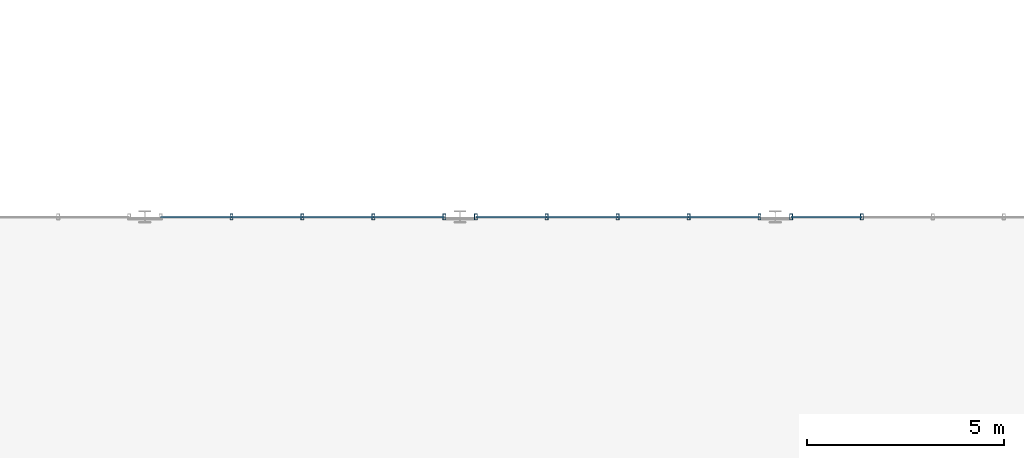
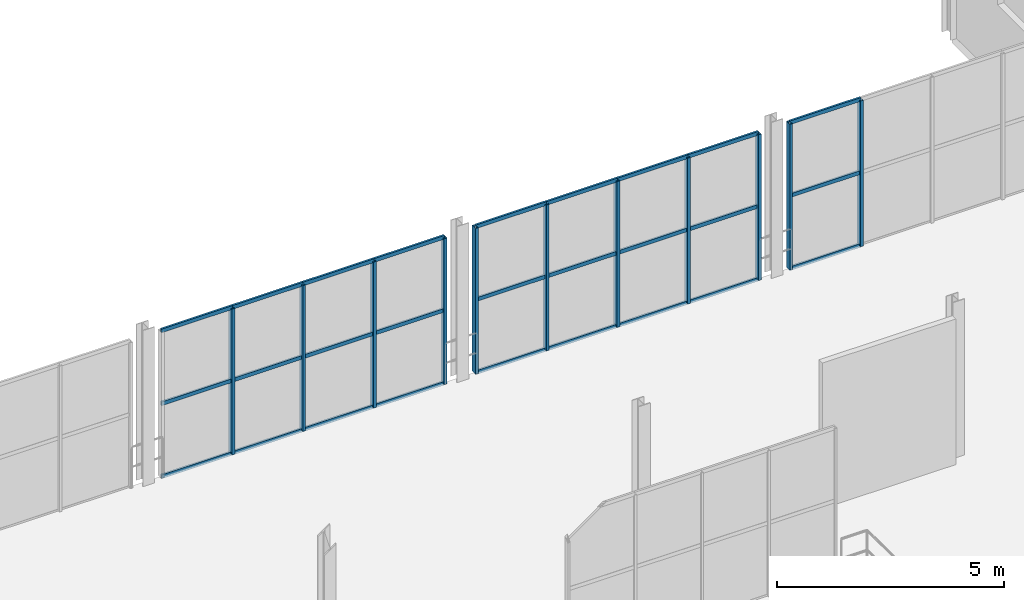
# One storey, part 21 of 67: 38 members, 3 elements without a shape of their own.
"""IFC4 building model written with IfcOpenShell, lengths in metres."""

from ifc_helpers import new_model, si_unit, direction, frame, origin, origin_2d, place, context, subcontext, project, spatial, hollow_rectangle, extrude, material, material_profile, profile_set, type_object, element, aggregate, save


model = new_model("IFC4")

# Units and contexts
model_context = context("Model", 3, precision=1e-05, world=origin(), true_north=direction((0.0, 1.0)))
body_context = subcontext(model_context, "Body", "Model", "MODEL_VIEW")
ifc_project = project(units=[si_unit("LENGTHUNIT", "METRE"), si_unit("AREAUNIT", "SQUARE_METRE"), si_unit("VOLUMEUNIT", "CUBIC_METRE"), si_unit("PLANEANGLEUNIT", "RADIAN"), si_unit("MASSUNIT", "GRAM", prefix="KILO")], contexts=[model_context])

# Site, building, storey
site_placement = place(None, origin())
site = spatial("IfcSite", under=ifc_project, at=site_placement, CompositionType="ELEMENT")
building_placement = place(site_placement, origin())
building = spatial("IfcBuilding", under=site, at=building_placement, Name="Sundkrona Museum", CompositionType="ELEMENT")
storey_placement = place(building_placement, frame((0.0, 0.0, 21.800048828125)))
storey = spatial("IfcBuildingStorey", under=building, at=storey_placement, Name="L04", CompositionType="ELEMENT", Elevation=21.800048828125)

# Curtain wall, members
ifc_material_1 = material(Name="Unitised Aluminium-Steel and Ceramic-Clad Curtain Walling", Category="steel")
curtain_wall_type = type_object("IfcCurtainWallType", Name="CW-AT-72x38", PredefinedType="NOTDEFINED", material=ifc_material_1)
curtain_wall_1_placement = place(storey_placement, origin())
curtain_wall_1 = element("IfcCurtainWall", 1, at=curtain_wall_1_placement, inside=storey, type_object=curtain_wall_type, Name="L04 Curtain Wall CW-L04-089", PredefinedType="NOTDEFINED")
ifc_material_2 = material(Name="Aluminium EN AW-6060 T66", Category="aluminium")
ifc_material_profile_1 = material_profile(ifc_material_2, hollow_rectangle(XDim=0.074951171875, YDim=0.14990234375, WallThickness=0.00634765625, at=origin_2d()), Name="RHS 150x75x6.3")
ifc_profile_set_1 = profile_set([ifc_material_profile_1], Name="Aluminium EN AW-6060 T66")
member_type_1 = type_object("IfcMemberType", Name="ML-150", PredefinedType="MULLION", material=ifc_profile_set_1)
member_1_placement = place(storey_placement, frame((98.199951171875, 40.0, -0.004150390625), z_axis=(0.0, 0.0, 1.0), x_axis=(1.0, 0.0, 0.0)))
member_1 = element("IfcMember", 2, at=member_1_placement, type_object=member_type_1, Name="CW-L04-089 Mullion 02", PredefinedType="MULLION", context=body_context, shape_type="SweptSolid", body=[
    extrude(hollow_rectangle(XDim=0.074951171875, YDim=0.14990234375, WallThickness=0.00634765625, at=origin_2d()), origin(), (0.0, 0.0, 1.0), 3.92822265625),
])
member_2_placement = place(storey_placement, frame((100.0, 40.0, -0.004150390625), z_axis=(0.0, 0.0, 1.0), x_axis=(1.0, 0.0, 0.0)))
member_2 = element("IfcMember", 3, at=member_2_placement, type_object=member_type_1, Name="CW-L04-089 Mullion 03", PredefinedType="MULLION", context=body_context, shape_type="SweptSolid", body=[
    extrude(hollow_rectangle(XDim=0.074951171875, YDim=0.14990234375, WallThickness=0.00634765625, at=origin_2d()), origin(), (0.0, 0.0, 1.0), 3.92822265625),
])
member_3_placement = place(storey_placement, frame((101.800048828125, 40.0, -0.004150390625), z_axis=(0.0, 0.0, 1.0), x_axis=(1.0, 0.0, 0.0)))
member_3 = element("IfcMember", 4, at=member_3_placement, type_object=member_type_1, Name="CW-L04-089 Mullion 04", PredefinedType="MULLION", context=body_context, shape_type="SweptSolid", body=[
    extrude(hollow_rectangle(XDim=0.074951171875, YDim=0.14990234375, WallThickness=0.00634765625, at=origin_2d()), origin(), (0.0, 0.0, 1.0), 3.92822265625),
])
member_4_placement = place(storey_placement, frame((103.60009765625, 40.0, -0.004150390625), z_axis=(0.0, 0.0, 1.0), x_axis=(1.0, 0.0, 0.0)))
member_4 = element("IfcMember", 5, at=member_4_placement, type_object=member_type_1, Name="CW-L04-089 Mullion 05", PredefinedType="MULLION", context=body_context, shape_type="SweptSolid", body=[
    extrude(hollow_rectangle(XDim=0.074951171875, YDim=0.14990234375, WallThickness=0.00634765625, at=origin_2d()), origin(), (0.0, 0.0, 1.0), 3.92822265625),
])

curtain_wall_2_placement = place(storey_placement, origin())
curtain_wall_2 = element("IfcCurtainWall", 6, at=curtain_wall_2_placement, inside=storey, type_object=curtain_wall_type, Name="L04 Curtain Wall CW-L04-090", PredefinedType="NOTDEFINED")
member_5_placement = place(storey_placement, frame((104.39990234375, 40.0, -0.004150390625), z_axis=(0.0, 0.0, 1.0), x_axis=(1.0, 0.0, 0.0)))
member_5 = element("IfcMember", 7, at=member_5_placement, type_object=member_type_1, Name="CW-L04-090 Mullion 01", PredefinedType="MULLION", context=body_context, shape_type="SweptSolid", body=[
    extrude(hollow_rectangle(XDim=0.074951171875, YDim=0.14990234375, WallThickness=0.00634765625, at=origin_2d()), origin(), (0.0, 0.0, 1.0), 3.92822265625),
])
member_6_placement = place(storey_placement, frame((106.199951171875, 40.0, -0.004150390625), z_axis=(0.0, 0.0, 1.0), x_axis=(1.0, 0.0, 0.0)))
member_6 = element("IfcMember", 8, at=member_6_placement, type_object=member_type_1, Name="CW-L04-090 Mullion 02", PredefinedType="MULLION", context=body_context, shape_type="SweptSolid", body=[
    extrude(hollow_rectangle(XDim=0.074951171875, YDim=0.14990234375, WallThickness=0.00634765625, at=origin_2d()), origin(), (0.0, 0.0, 1.0), 3.92822265625),
])
member_7_placement = place(storey_placement, frame((108.0, 40.0, -0.004150390625), z_axis=(0.0, 0.0, 1.0), x_axis=(1.0, 0.0, 0.0)))
member_7 = element("IfcMember", 9, at=member_7_placement, type_object=member_type_1, Name="CW-L04-090 Mullion 03", PredefinedType="MULLION", context=body_context, shape_type="SweptSolid", body=[
    extrude(hollow_rectangle(XDim=0.074951171875, YDim=0.14990234375, WallThickness=0.00634765625, at=origin_2d()), origin(), (0.0, 0.0, 1.0), 3.92822265625),
])
member_8_placement = place(storey_placement, frame((109.800048828125, 40.0, -0.004150390625), z_axis=(0.0, 0.0, 1.0), x_axis=(1.0, 0.0, 0.0)))
member_8 = element("IfcMember", 10, at=member_8_placement, type_object=member_type_1, Name="CW-L04-090 Mullion 04", PredefinedType="MULLION", context=body_context, shape_type="SweptSolid", body=[
    extrude(hollow_rectangle(XDim=0.074951171875, YDim=0.14990234375, WallThickness=0.00634765625, at=origin_2d()), origin(), (0.0, 0.0, 1.0), 3.92822265625),
])
member_9_placement = place(storey_placement, frame((111.60009765625, 40.0, -0.004150390625), z_axis=(0.0, 0.0, 1.0), x_axis=(1.0, 0.0, 0.0)))
member_9 = element("IfcMember", 11, at=member_9_placement, type_object=member_type_1, Name="CW-L04-090 Mullion 05", PredefinedType="MULLION", context=body_context, shape_type="SweptSolid", body=[
    extrude(hollow_rectangle(XDim=0.074951171875, YDim=0.14990234375, WallThickness=0.00634765625, at=origin_2d()), origin(), (0.0, 0.0, 1.0), 3.92822265625),
])

curtain_wall_3_placement = place(storey_placement, origin())
curtain_wall_3 = element("IfcCurtainWall", 12, at=curtain_wall_3_placement, inside=storey, type_object=curtain_wall_type, Name="L04 Curtain Wall CW-L04-091", PredefinedType="NOTDEFINED")
member_10_placement = place(storey_placement, frame((112.39990234375, 40.0, -0.004150390625), z_axis=(0.0, 0.0, 1.0), x_axis=(1.0, 0.0, 0.0)))
member_10 = element("IfcMember", 13, at=member_10_placement, type_object=member_type_1, Name="CW-L04-091 Mullion 01", PredefinedType="MULLION", context=body_context, shape_type="SweptSolid", body=[
    extrude(hollow_rectangle(XDim=0.074951171875, YDim=0.14990234375, WallThickness=0.00634765625, at=origin_2d()), origin(), (0.0, 0.0, 1.0), 3.92822265625),
])
member_11_placement = place(storey_placement, frame((114.199951171875, 40.0, -0.004150390625), z_axis=(0.0, 0.0, 1.0), x_axis=(1.0, 0.0, 0.0)))
member_11 = element("IfcMember", 14, at=member_11_placement, type_object=member_type_1, Name="CW-L04-091 Mullion 02", PredefinedType="MULLION", context=body_context, shape_type="SweptSolid", body=[
    extrude(hollow_rectangle(XDim=0.074951171875, YDim=0.14990234375, WallThickness=0.00634765625, at=origin_2d()), origin(), (0.0, 0.0, 1.0), 3.92822265625),
])

# Member
ifc_material_profile_2 = material_profile(ifc_material_2, hollow_rectangle(XDim=0.050048828125, YDim=0.10009765625, WallThickness=0.0048828125, at=origin_2d()), Name="RHS 100x50x5.0")
ifc_profile_set_2 = profile_set([ifc_material_profile_2], Name="Aluminium EN AW-6060 T66")
member_type_2 = type_object("IfcMemberType", Name="TR-100", PredefinedType="USERDEFINED", material=ifc_profile_set_2)
member_12_placement = place(storey_placement, frame((96.39990234375, 40.0, -0.004150390625), z_axis=(1.0, 0.0, 0.0), x_axis=(0.0, 1.0, 0.0)))
member_12 = element("IfcMember", 15, at=member_12_placement, type_object=member_type_2, Name="CW-L04-089 Transom 01", ObjectType="TRANSOM", PredefinedType="USERDEFINED", context=body_context, shape_type="SweptSolid", body=[
    extrude(hollow_rectangle(XDim=0.050048828125, YDim=0.10009765625, WallThickness=0.0048828125, at=origin_2d()), origin(), (0.0, 0.0, 1.0), 1.800048828125),
])

member_13_placement = place(storey_placement, frame((96.39990234375, 40.0, 1.9599609375), z_axis=(1.0, 0.0, 0.0), x_axis=(0.0, 1.0, 0.0)))
member_13 = element("IfcMember", 16, at=member_13_placement, type_object=member_type_2, Name="CW-L04-089 Transom 02", ObjectType="TRANSOM", PredefinedType="USERDEFINED", context=body_context, shape_type="SweptSolid", body=[
    extrude(hollow_rectangle(XDim=0.050048828125, YDim=0.10009765625, WallThickness=0.0048828125, at=origin_2d()), origin(), (0.0, 0.0, 1.0), 1.800048828125),
])

member_14_placement = place(storey_placement, frame((96.39990234375, 40.0, 3.924072265625), z_axis=(1.0, 0.0, 0.0), x_axis=(0.0, 1.0, 0.0)))
member_14 = element("IfcMember", 17, at=member_14_placement, type_object=member_type_2, Name="CW-L04-089 Transom 03", ObjectType="TRANSOM", PredefinedType="USERDEFINED", context=body_context, shape_type="SweptSolid", body=[
    extrude(hollow_rectangle(XDim=0.050048828125, YDim=0.10009765625, WallThickness=0.0048828125, at=origin_2d()), origin(), (0.0, 0.0, 1.0), 1.800048828125),
])

member_15_placement = place(storey_placement, frame((98.199951171875, 40.0, -0.004150390625), z_axis=(1.0, 0.0, 0.0), x_axis=(0.0, 1.0, 0.0)))
member_15 = element("IfcMember", 18, at=member_15_placement, type_object=member_type_2, Name="CW-L04-089 Transom 04", ObjectType="TRANSOM", PredefinedType="USERDEFINED", context=body_context, shape_type="SweptSolid", body=[
    extrude(hollow_rectangle(XDim=0.050048828125, YDim=0.10009765625, WallThickness=0.0048828125, at=origin_2d()), origin(), (0.0, 0.0, 1.0), 1.800048828125),
])

member_16_placement = place(storey_placement, frame((98.199951171875, 40.0, 1.9599609375), z_axis=(1.0, 0.0, 0.0), x_axis=(0.0, 1.0, 0.0)))
member_16 = element("IfcMember", 19, at=member_16_placement, type_object=member_type_2, Name="CW-L04-089 Transom 05", ObjectType="TRANSOM", PredefinedType="USERDEFINED", context=body_context, shape_type="SweptSolid", body=[
    extrude(hollow_rectangle(XDim=0.050048828125, YDim=0.10009765625, WallThickness=0.0048828125, at=origin_2d()), origin(), (0.0, 0.0, 1.0), 1.800048828125),
])

member_17_placement = place(storey_placement, frame((98.199951171875, 40.0, 3.924072265625), z_axis=(1.0, 0.0, 0.0), x_axis=(0.0, 1.0, 0.0)))
member_17 = element("IfcMember", 20, at=member_17_placement, type_object=member_type_2, Name="CW-L04-089 Transom 06", ObjectType="TRANSOM", PredefinedType="USERDEFINED", context=body_context, shape_type="SweptSolid", body=[
    extrude(hollow_rectangle(XDim=0.050048828125, YDim=0.10009765625, WallThickness=0.0048828125, at=origin_2d()), origin(), (0.0, 0.0, 1.0), 1.800048828125),
])

member_18_placement = place(storey_placement, frame((100.0, 40.0, -0.004150390625), z_axis=(1.0, 0.0, 0.0), x_axis=(0.0, 1.0, 0.0)))
member_18 = element("IfcMember", 21, at=member_18_placement, type_object=member_type_2, Name="CW-L04-089 Transom 07", ObjectType="TRANSOM", PredefinedType="USERDEFINED", context=body_context, shape_type="SweptSolid", body=[
    extrude(hollow_rectangle(XDim=0.050048828125, YDim=0.10009765625, WallThickness=0.0048828125, at=origin_2d()), origin(), (0.0, 0.0, 1.0), 1.800048828125),
])

member_19_placement = place(storey_placement, frame((100.0, 40.0, 1.9599609375), z_axis=(1.0, 0.0, 0.0), x_axis=(0.0, 1.0, 0.0)))
member_19 = element("IfcMember", 22, at=member_19_placement, type_object=member_type_2, Name="CW-L04-089 Transom 08", ObjectType="TRANSOM", PredefinedType="USERDEFINED", context=body_context, shape_type="SweptSolid", body=[
    extrude(hollow_rectangle(XDim=0.050048828125, YDim=0.10009765625, WallThickness=0.0048828125, at=origin_2d()), origin(), (0.0, 0.0, 1.0), 1.800048828125),
])

member_20_placement = place(storey_placement, frame((100.0, 40.0, 3.924072265625), z_axis=(1.0, 0.0, 0.0), x_axis=(0.0, 1.0, 0.0)))
member_20 = element("IfcMember", 23, at=member_20_placement, type_object=member_type_2, Name="CW-L04-089 Transom 09", ObjectType="TRANSOM", PredefinedType="USERDEFINED", context=body_context, shape_type="SweptSolid", body=[
    extrude(hollow_rectangle(XDim=0.050048828125, YDim=0.10009765625, WallThickness=0.0048828125, at=origin_2d()), origin(), (0.0, 0.0, 1.0), 1.800048828125),
])

member_21_placement = place(storey_placement, frame((101.800048828125, 40.0, -0.004150390625), z_axis=(1.0, 0.0, 0.0), x_axis=(0.0, 1.0, 0.0)))
member_21 = element("IfcMember", 24, at=member_21_placement, type_object=member_type_2, Name="CW-L04-089 Transom 10", ObjectType="TRANSOM", PredefinedType="USERDEFINED", context=body_context, shape_type="SweptSolid", body=[
    extrude(hollow_rectangle(XDim=0.050048828125, YDim=0.10009765625, WallThickness=0.0048828125, at=origin_2d()), origin(), (0.0, 0.0, 1.0), 1.800048828125),
])

member_22_placement = place(storey_placement, frame((101.800048828125, 40.0, 1.9599609375), z_axis=(1.0, 0.0, 0.0), x_axis=(0.0, 1.0, 0.0)))
member_22 = element("IfcMember", 25, at=member_22_placement, type_object=member_type_2, Name="CW-L04-089 Transom 11", ObjectType="TRANSOM", PredefinedType="USERDEFINED", context=body_context, shape_type="SweptSolid", body=[
    extrude(hollow_rectangle(XDim=0.050048828125, YDim=0.10009765625, WallThickness=0.0048828125, at=origin_2d()), origin(), (0.0, 0.0, 1.0), 1.800048828125),
])

member_23_placement = place(storey_placement, frame((101.800048828125, 40.0, 3.924072265625), z_axis=(1.0, 0.0, 0.0), x_axis=(0.0, 1.0, 0.0)))
member_23 = element("IfcMember", 26, at=member_23_placement, type_object=member_type_2, Name="CW-L04-089 Transom 12", ObjectType="TRANSOM", PredefinedType="USERDEFINED", context=body_context, shape_type="SweptSolid", body=[
    extrude(hollow_rectangle(XDim=0.050048828125, YDim=0.10009765625, WallThickness=0.0048828125, at=origin_2d()), origin(), (0.0, 0.0, 1.0), 1.800048828125),
])

aggregate(curtain_wall_1, [member_1, member_2, member_3, member_4, member_12, member_13, member_14, member_15, member_16, member_17, member_18, member_19, member_20, member_21, member_22, member_23])

member_24_placement = place(storey_placement, frame((104.39990234375, 40.0, -0.004150390625), z_axis=(1.0, 0.0, 0.0), x_axis=(0.0, 1.0, 0.0)))
member_24 = element("IfcMember", 27, at=member_24_placement, type_object=member_type_2, Name="CW-L04-090 Transom 01", ObjectType="TRANSOM", PredefinedType="USERDEFINED", context=body_context, shape_type="SweptSolid", body=[
    extrude(hollow_rectangle(XDim=0.050048828125, YDim=0.10009765625, WallThickness=0.0048828125, at=origin_2d()), origin(), (0.0, 0.0, 1.0), 1.800048828125),
])

member_25_placement = place(storey_placement, frame((104.39990234375, 40.0, 1.9599609375), z_axis=(1.0, 0.0, 0.0), x_axis=(0.0, 1.0, 0.0)))
member_25 = element("IfcMember", 28, at=member_25_placement, type_object=member_type_2, Name="CW-L04-090 Transom 02", ObjectType="TRANSOM", PredefinedType="USERDEFINED", context=body_context, shape_type="SweptSolid", body=[
    extrude(hollow_rectangle(XDim=0.050048828125, YDim=0.10009765625, WallThickness=0.0048828125, at=origin_2d()), origin(), (0.0, 0.0, 1.0), 1.800048828125),
])

member_26_placement = place(storey_placement, frame((104.39990234375, 40.0, 3.924072265625), z_axis=(1.0, 0.0, 0.0), x_axis=(0.0, 1.0, 0.0)))
member_26 = element("IfcMember", 29, at=member_26_placement, type_object=member_type_2, Name="CW-L04-090 Transom 03", ObjectType="TRANSOM", PredefinedType="USERDEFINED", context=body_context, shape_type="SweptSolid", body=[
    extrude(hollow_rectangle(XDim=0.050048828125, YDim=0.10009765625, WallThickness=0.0048828125, at=origin_2d()), origin(), (0.0, 0.0, 1.0), 1.800048828125),
])

member_27_placement = place(storey_placement, frame((106.199951171875, 40.0, -0.004150390625), z_axis=(1.0, 0.0, 0.0), x_axis=(0.0, 1.0, 0.0)))
member_27 = element("IfcMember", 30, at=member_27_placement, type_object=member_type_2, Name="CW-L04-090 Transom 04", ObjectType="TRANSOM", PredefinedType="USERDEFINED", context=body_context, shape_type="SweptSolid", body=[
    extrude(hollow_rectangle(XDim=0.050048828125, YDim=0.10009765625, WallThickness=0.0048828125, at=origin_2d()), origin(), (0.0, 0.0, 1.0), 1.800048828125),
])

member_28_placement = place(storey_placement, frame((106.199951171875, 40.0, 1.9599609375), z_axis=(1.0, 0.0, 0.0), x_axis=(0.0, 1.0, 0.0)))
member_28 = element("IfcMember", 31, at=member_28_placement, type_object=member_type_2, Name="CW-L04-090 Transom 05", ObjectType="TRANSOM", PredefinedType="USERDEFINED", context=body_context, shape_type="SweptSolid", body=[
    extrude(hollow_rectangle(XDim=0.050048828125, YDim=0.10009765625, WallThickness=0.0048828125, at=origin_2d()), origin(), (0.0, 0.0, 1.0), 1.800048828125),
])

member_29_placement = place(storey_placement, frame((106.199951171875, 40.0, 3.924072265625), z_axis=(1.0, 0.0, 0.0), x_axis=(0.0, 1.0, 0.0)))
member_29 = element("IfcMember", 32, at=member_29_placement, type_object=member_type_2, Name="CW-L04-090 Transom 06", ObjectType="TRANSOM", PredefinedType="USERDEFINED", context=body_context, shape_type="SweptSolid", body=[
    extrude(hollow_rectangle(XDim=0.050048828125, YDim=0.10009765625, WallThickness=0.0048828125, at=origin_2d()), origin(), (0.0, 0.0, 1.0), 1.800048828125),
])

member_30_placement = place(storey_placement, frame((108.0, 40.0, -0.004150390625), z_axis=(1.0, 0.0, 0.0), x_axis=(0.0, 1.0, 0.0)))
member_30 = element("IfcMember", 33, at=member_30_placement, type_object=member_type_2, Name="CW-L04-090 Transom 07", ObjectType="TRANSOM", PredefinedType="USERDEFINED", context=body_context, shape_type="SweptSolid", body=[
    extrude(hollow_rectangle(XDim=0.050048828125, YDim=0.10009765625, WallThickness=0.0048828125, at=origin_2d()), origin(), (0.0, 0.0, 1.0), 1.800048828125),
])

member_31_placement = place(storey_placement, frame((108.0, 40.0, 1.9599609375), z_axis=(1.0, 0.0, 0.0), x_axis=(0.0, 1.0, 0.0)))
member_31 = element("IfcMember", 34, at=member_31_placement, type_object=member_type_2, Name="CW-L04-090 Transom 08", ObjectType="TRANSOM", PredefinedType="USERDEFINED", context=body_context, shape_type="SweptSolid", body=[
    extrude(hollow_rectangle(XDim=0.050048828125, YDim=0.10009765625, WallThickness=0.0048828125, at=origin_2d()), origin(), (0.0, 0.0, 1.0), 1.800048828125),
])

member_32_placement = place(storey_placement, frame((108.0, 40.0, 3.924072265625), z_axis=(1.0, 0.0, 0.0), x_axis=(0.0, 1.0, 0.0)))
member_32 = element("IfcMember", 35, at=member_32_placement, type_object=member_type_2, Name="CW-L04-090 Transom 09", ObjectType="TRANSOM", PredefinedType="USERDEFINED", context=body_context, shape_type="SweptSolid", body=[
    extrude(hollow_rectangle(XDim=0.050048828125, YDim=0.10009765625, WallThickness=0.0048828125, at=origin_2d()), origin(), (0.0, 0.0, 1.0), 1.800048828125),
])

member_33_placement = place(storey_placement, frame((109.800048828125, 40.0, -0.004150390625), z_axis=(1.0, 0.0, 0.0), x_axis=(0.0, 1.0, 0.0)))
member_33 = element("IfcMember", 36, at=member_33_placement, type_object=member_type_2, Name="CW-L04-090 Transom 10", ObjectType="TRANSOM", PredefinedType="USERDEFINED", context=body_context, shape_type="SweptSolid", body=[
    extrude(hollow_rectangle(XDim=0.050048828125, YDim=0.10009765625, WallThickness=0.0048828125, at=origin_2d()), origin(), (0.0, 0.0, 1.0), 1.800048828125),
])

member_34_placement = place(storey_placement, frame((109.800048828125, 40.0, 1.9599609375), z_axis=(1.0, 0.0, 0.0), x_axis=(0.0, 1.0, 0.0)))
member_34 = element("IfcMember", 37, at=member_34_placement, type_object=member_type_2, Name="CW-L04-090 Transom 11", ObjectType="TRANSOM", PredefinedType="USERDEFINED", context=body_context, shape_type="SweptSolid", body=[
    extrude(hollow_rectangle(XDim=0.050048828125, YDim=0.10009765625, WallThickness=0.0048828125, at=origin_2d()), origin(), (0.0, 0.0, 1.0), 1.800048828125),
])

member_35_placement = place(storey_placement, frame((109.800048828125, 40.0, 3.924072265625), z_axis=(1.0, 0.0, 0.0), x_axis=(0.0, 1.0, 0.0)))
member_35 = element("IfcMember", 38, at=member_35_placement, type_object=member_type_2, Name="CW-L04-090 Transom 12", ObjectType="TRANSOM", PredefinedType="USERDEFINED", context=body_context, shape_type="SweptSolid", body=[
    extrude(hollow_rectangle(XDim=0.050048828125, YDim=0.10009765625, WallThickness=0.0048828125, at=origin_2d()), origin(), (0.0, 0.0, 1.0), 1.800048828125),
])

aggregate(curtain_wall_2, [member_5, member_6, member_7, member_8, member_9, member_24, member_25, member_26, member_27, member_28, member_29, member_30, member_31, member_32, member_33, member_34, member_35])

member_36_placement = place(storey_placement, frame((112.39990234375, 40.0, -0.004150390625), z_axis=(1.0, 0.0, 0.0), x_axis=(0.0, 1.0, 0.0)))
member_36 = element("IfcMember", 39, at=member_36_placement, type_object=member_type_2, Name="CW-L04-091 Transom 01", ObjectType="TRANSOM", PredefinedType="USERDEFINED", context=body_context, shape_type="SweptSolid", body=[
    extrude(hollow_rectangle(XDim=0.050048828125, YDim=0.10009765625, WallThickness=0.0048828125, at=origin_2d()), origin(), (0.0, 0.0, 1.0), 1.800048828125),
])

member_37_placement = place(storey_placement, frame((112.39990234375, 40.0, 1.9599609375), z_axis=(1.0, 0.0, 0.0), x_axis=(0.0, 1.0, 0.0)))
member_37 = element("IfcMember", 40, at=member_37_placement, type_object=member_type_2, Name="CW-L04-091 Transom 02", ObjectType="TRANSOM", PredefinedType="USERDEFINED", context=body_context, shape_type="SweptSolid", body=[
    extrude(hollow_rectangle(XDim=0.050048828125, YDim=0.10009765625, WallThickness=0.0048828125, at=origin_2d()), origin(), (0.0, 0.0, 1.0), 1.800048828125),
])

member_38_placement = place(storey_placement, frame((112.39990234375, 40.0, 3.924072265625), z_axis=(1.0, 0.0, 0.0), x_axis=(0.0, 1.0, 0.0)))
member_38 = element("IfcMember", 41, at=member_38_placement, type_object=member_type_2, Name="CW-L04-091 Transom 03", ObjectType="TRANSOM", PredefinedType="USERDEFINED", context=body_context, shape_type="SweptSolid", body=[
    extrude(hollow_rectangle(XDim=0.050048828125, YDim=0.10009765625, WallThickness=0.0048828125, at=origin_2d()), origin(), (0.0, 0.0, 1.0), 1.800048828125),
])

aggregate(curtain_wall_3, [member_10, member_11, member_36, member_37, member_38])

save(model, "model.ifc")
